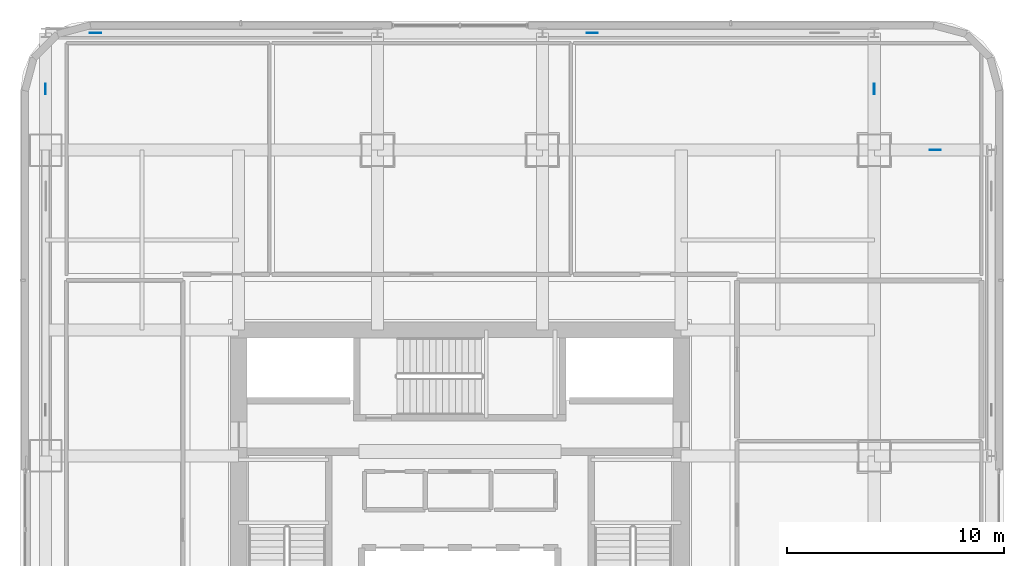
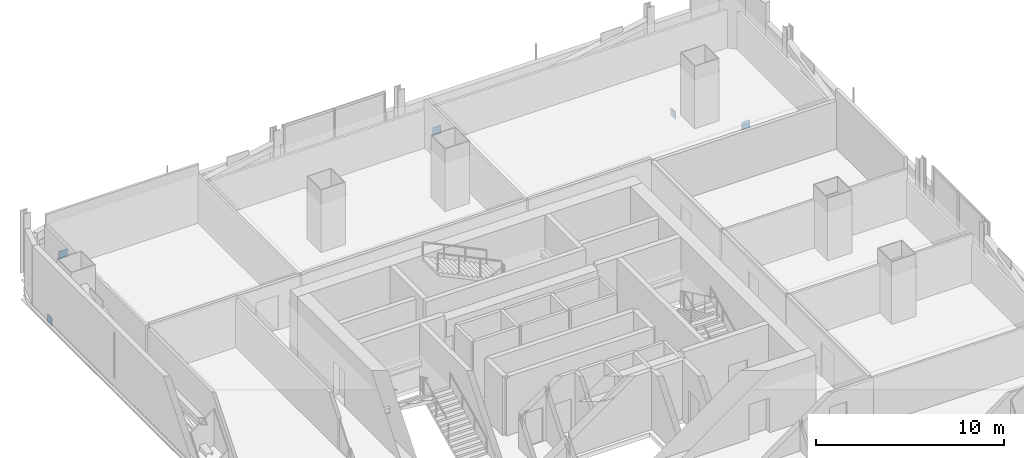
# One storey, part 10 of 28: 5 plates.
"""IFC4 building model written with IfcOpenShell, lengths in metres."""

from ifc_helpers import new_model, si_unit, direction, frame, origin, origin_2d, place, context, subcontext, project, spatial, rectangle, extrude, material, layer, layer_set, type_object, element, save


model = new_model("IFC4")

# Units and contexts
model_context = context("Model", 3, precision=1e-05, world=origin(), true_north=direction((0.0, 1.0)))
body_context = subcontext(model_context, "Body", "Model", "MODEL_VIEW")
ifc_project = project(units=[si_unit("LENGTHUNIT", "METRE"), si_unit("AREAUNIT", "SQUARE_METRE"), si_unit("VOLUMEUNIT", "CUBIC_METRE"), si_unit("PLANEANGLEUNIT", "RADIAN"), si_unit("MASSUNIT", "GRAM", prefix="KILO")], contexts=[model_context])

# Site, building, storey
site_placement = place(None, origin())
site = spatial("IfcSite", under=ifc_project, at=site_placement, CompositionType="ELEMENT")
building_placement = place(site_placement, origin())
building = spatial("IfcBuilding", under=site, at=building_placement, Name="Punatoya Terracotta Tower", CompositionType="ELEMENT")
storey_placement = place(building_placement, frame((0.0, 0.0, 93.0)))
storey = spatial("IfcBuildingStorey", under=building, at=storey_placement, Name="L21", CompositionType="ELEMENT", Elevation=93.0)

# Plates
ifc_material = material(Name="Steel S460", Category="steel")
ifc_layer = layer(ifc_material, 0.031982421875)
ifc_layer_set = layer_set([ifc_layer], Name="Steel S460")
plate_type = type_object("IfcPlateType", Name="PLT-END-32", PredefinedType="USERDEFINED", material=ifc_layer_set)
for number, where, z_axis, x_axis, name in (
    (1, (-16.804931640625, 22.89990234375, 0.20849609375), (0.0, 0.0, 1.0), (1.0, 0.0, 0.0), "L21 Exoskeleton Base Node Plate N1"),
    (2, (6.094970703125, 22.89990234375, 0.20849609375), (0.0, 0.0, 1.0), (1.0, 0.0, 0.0), "L21 Exoskeleton Base Node Plate N3"),
):
    element("IfcPlate", number, at=place(storey_placement, frame(where, z_axis=z_axis, x_axis=x_axis)), inside=storey, type_object=plate_type, Name=name, ObjectType="FLANGE_PLATE", PredefinedType="USERDEFINED", context=body_context, shape_type="SweptSolid", body=[
        extrude(rectangle(XDim=0.52001953125, YDim=0.031982421875, at=origin_2d()), origin(), (0.0, 0.0, 1.0), 0.52001953125),
    ])
for number, where, z_axis, x_axis, name in (
    (3, (21.916015625, 17.5, -1.68408203125), (0.0, 0.0, 1.0), (1.0, 0.0, 0.0), "L21 Knee-Strut Upper End Cap Plate E2"),
    (4, (-19.10009765625, 20.31591796875, -1.68408203125), (0.0, 0.0, 1.0), (0.0, 1.0, 0.0), "L21 Knee-Strut Upper End Cap Plate N1"),
    (5, (19.10009765625, 20.31591796875, -1.68408203125), (0.0, 0.0, 1.0), (0.0, 1.0, 0.0), "L21 Knee-Strut Upper End Cap Plate N2"),
):
    element("IfcPlate", number, at=place(storey_placement, frame(where, z_axis=z_axis, x_axis=x_axis)), inside=storey, type_object=plate_type, Name=name, ObjectType="FLANGE_PLATE", PredefinedType="USERDEFINED", context=body_context, shape_type="SweptSolid", body=[
        extrude(rectangle(XDim=0.5, YDim=0.031982421875, at=origin_2d()), origin(), (0.0, 0.0, 1.0), 0.5),
    ])

save(model, "model.ifc")
